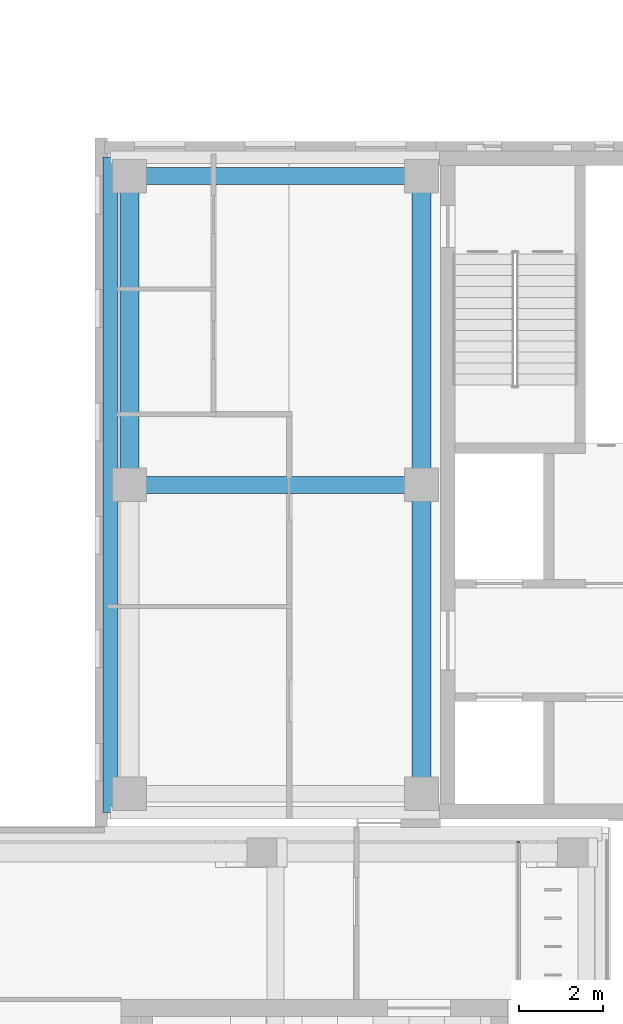
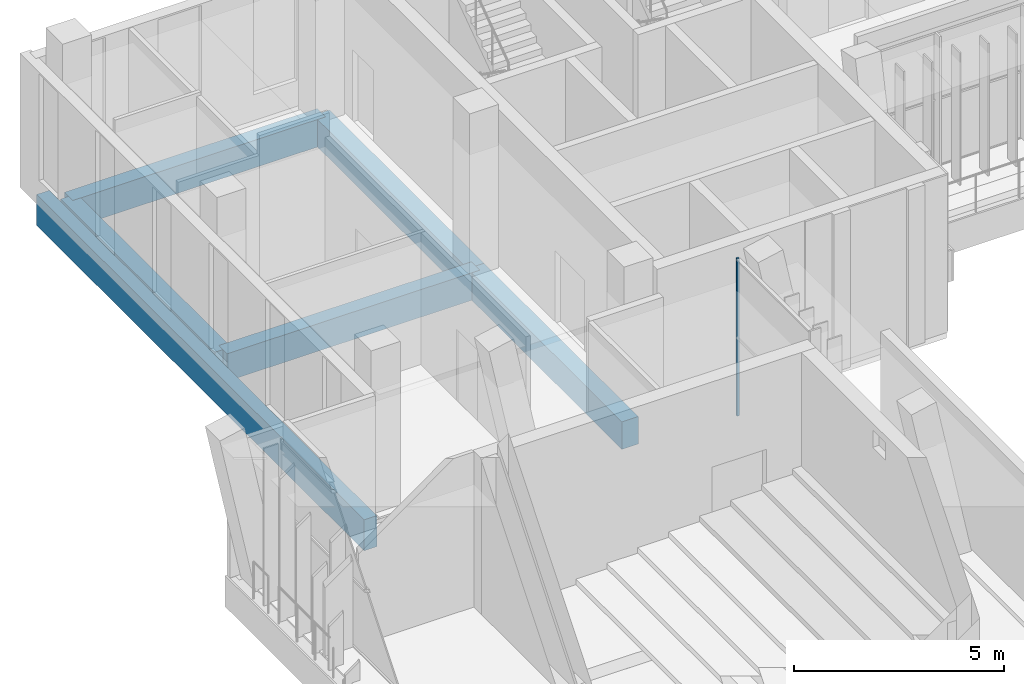
# One storey, part 21 of 74: 6 beams, 1 member, 1 element without a shape of its own.
"""IFC4 building model written with IfcOpenShell, lengths in metres."""

from ifc_helpers import new_model, si_unit, direction, frame, origin, origin_2d, place, context, subcontext, project, spatial, rectangle, extrude, material, material_profile, profile_set, type_object, element, aggregate, save


model = new_model("IFC4")

# Units and contexts
model_context = context("Model", 3, precision=1e-05, world=origin(), true_north=direction((0.0, 1.0)))
body_context = subcontext(model_context, "Body", "Model", "MODEL_VIEW")
ifc_project = project(units=[si_unit("LENGTHUNIT", "METRE"), si_unit("AREAUNIT", "SQUARE_METRE"), si_unit("VOLUMEUNIT", "CUBIC_METRE"), si_unit("PLANEANGLEUNIT", "RADIAN"), si_unit("MASSUNIT", "GRAM", prefix="KILO")], contexts=[model_context])

# Site, building, storey
site_placement = place(None, origin())
site = spatial("IfcSite", under=ifc_project, at=site_placement, CompositionType="ELEMENT")
building_placement = place(site_placement, origin())
building = spatial("IfcBuilding", under=site, at=building_placement, Name="Lantern Court Media Centre", CompositionType="ELEMENT")
storey_placement = place(building_placement, frame((0.0, 0.0, 19.199951171875)))
storey = spatial("IfcBuildingStorey", under=building, at=storey_placement, Name="L04", CompositionType="ELEMENT", Elevation=19.199951171875)

# Curtain wall, member
ifc_material_1 = material(Name="Curtain wall bay 2400")
curtain_wall_type = type_object("IfcCurtainWallType", Name="Curtain wall bay 2400", PredefinedType="NOTDEFINED", material=ifc_material_1)
curtain_wall_placement = place(storey_placement, origin())
curtain_wall = element("IfcCurtainWall", 1, at=curtain_wall_placement, inside=storey, type_object=curtain_wall_type, Name="Curtain wall W inner L04", PredefinedType="NOTDEFINED")
ifc_material_2 = material(Name="Anodised aluminium", Category="aluminium")
ifc_material_profile_1 = material_profile(ifc_material_2, rectangle(XDim=0.06005859375, YDim=0.050048828125, at=origin_2d()), Name="AL 50x60")
ifc_profile_set_1 = profile_set([ifc_material_profile_1], Name="Anodised aluminium")
member_type = type_object("IfcMemberType", Name="Curtain wall mullion 50x60", PredefinedType="MULLION", material=ifc_profile_set_1)
member_placement = place(storey_placement, frame((17.85009765625, 95.554931640625, 0.0), z_axis=(0.0, 0.0, 1.0), x_axis=(-1.0, 0.0, 0.0)))
member = element("IfcMember", 2, at=member_placement, type_object=member_type, Name="CW2 mullion 2", PredefinedType="MULLION", context=body_context, shape_type="SweptSolid", body=[
    extrude(rectangle(XDim=0.06005859375, YDim=0.050048828125, at=origin_2d()), origin(), (0.0, 0.0, 1.0), 4.580078125),
])
aggregate(curtain_wall, [member])

# Beams
ifc_material_3 = material(Name="Concrete C35", Category="concrete")
ifc_material_profile_2 = material_profile(ifc_material_3, rectangle(XDim=0.35009765625, YDim=0.89990234375, at=origin_2d()), Name="RC 350x900")
ifc_profile_set_2 = profile_set([ifc_material_profile_2], Name="Concrete C35")
beam_type_1 = type_object("IfcBeamType", Name="RC BEAM 350x900", PredefinedType="BEAM", material=ifc_profile_set_2)
beam_1_placement = place(storey_placement, frame((8.14990234375, 96.25, -0.449951171875), z_axis=(0.0, 1.0, 0.0), x_axis=(-1.0, 0.0, 0.0)))
element("IfcBeam", 3, at=beam_1_placement, inside=storey, type_object=beam_type_1, Name="EB-NW-L04-W", PredefinedType="BEAM", context=body_context, shape_type="SweptSolid", body=[
    extrude(rectangle(XDim=0.35009765625, YDim=0.89990234375, at=origin_2d()), origin(), (0.0, 0.0, 1.0), 15.60009765625),
])
ifc_material_profile_3 = material_profile(ifc_material_3, rectangle(XDim=0.39990234375, YDim=0.800048828125, at=origin_2d()), Name="RC 400x800")
ifc_profile_set_3 = profile_set([ifc_material_profile_3], Name="Concrete C35")
beam_type_2 = type_object("IfcBeamType", Name="RC BEAM 400x800", PredefinedType="BEAM", material=ifc_profile_set_3)
for number, where, z_axis, x_axis, name in (
    (4, (8.60009765625, 104.050048828125, -0.39990234375), (1.0, 0.0, 0.0), (0.0, 1.0, 0.0), "BB-NW-L04-Y0-104"),
    (5, (8.60009765625, 111.39990234375, -0.39990234375), (1.0, 0.0, 0.0), (0.0, 1.0, 0.0), "BB-NW-L04-Y0-111"),
):
    element("IfcBeam", number, at=place(storey_placement, frame(where, z_axis=z_axis, x_axis=x_axis)), inside=storey, type_object=beam_type_2, Name=name, PredefinedType="BEAM", context=body_context, shape_type="SweptSolid", body=[
        extrude(rectangle(XDim=0.39990234375, YDim=0.800048828125, at=origin_2d()), origin(), (0.0, 0.0, 1.0), 6.949951171875),
    ])
ifc_material_profile_4 = material_profile(ifc_material_3, rectangle(XDim=0.449951171875, YDim=0.800048828125, at=origin_2d()), Name="RC 450x800")
ifc_profile_set_4 = profile_set([ifc_material_profile_4], Name="Concrete C35")
beam_type_3 = type_object("IfcBeamType", Name="RC BEAM 450x800", PredefinedType="BEAM", material=ifc_profile_set_4)
beam_2_placement = place(storey_placement, frame((8.60009765625, 104.050048828125, -0.39990234375), z_axis=(0.0, 1.0, 0.0), x_axis=(-1.0, 0.0, 0.0)))
element("IfcBeam", 6, at=beam_2_placement, inside=storey, type_object=beam_type_3, Name="BB-NW-L04-X1-8", PredefinedType="BEAM", context=body_context, shape_type="SweptSolid", body=[
    extrude(rectangle(XDim=0.449951171875, YDim=0.800048828125, at=origin_2d()), origin(), (0.0, 0.0, 1.0), 7.349853515625),
])
beam_3_placement = place(storey_placement, frame((15.550048828125, 96.699951171875, -0.39990234375), z_axis=(0.0, 1.0, 0.0), x_axis=(-1.0, 0.0, 0.0)))
element("IfcBeam", 7, at=beam_3_placement, inside=storey, type_object=beam_type_3, Name="BB-NW-L04-X0-15", PredefinedType="BEAM", context=body_context, shape_type="SweptSolid", body=[
    extrude(rectangle(XDim=0.449951171875, YDim=0.800048828125, at=origin_2d()), origin(), (0.0, 0.0, 1.0), 7.35009765625),
])
beam_4_placement = place(storey_placement, frame((15.550048828125, 104.050048828125, -0.39990234375), z_axis=(0.0, 1.0, 0.0), x_axis=(-1.0, 0.0, 0.0)))
element("IfcBeam", 8, at=beam_4_placement, inside=storey, type_object=beam_type_3, Name="BB-NW-L04-X1-15", PredefinedType="BEAM", context=body_context, shape_type="SweptSolid", body=[
    extrude(rectangle(XDim=0.449951171875, YDim=0.800048828125, at=origin_2d()), origin(), (0.0, 0.0, 1.0), 7.349853515625),
])

save(model, "model.ifc")
